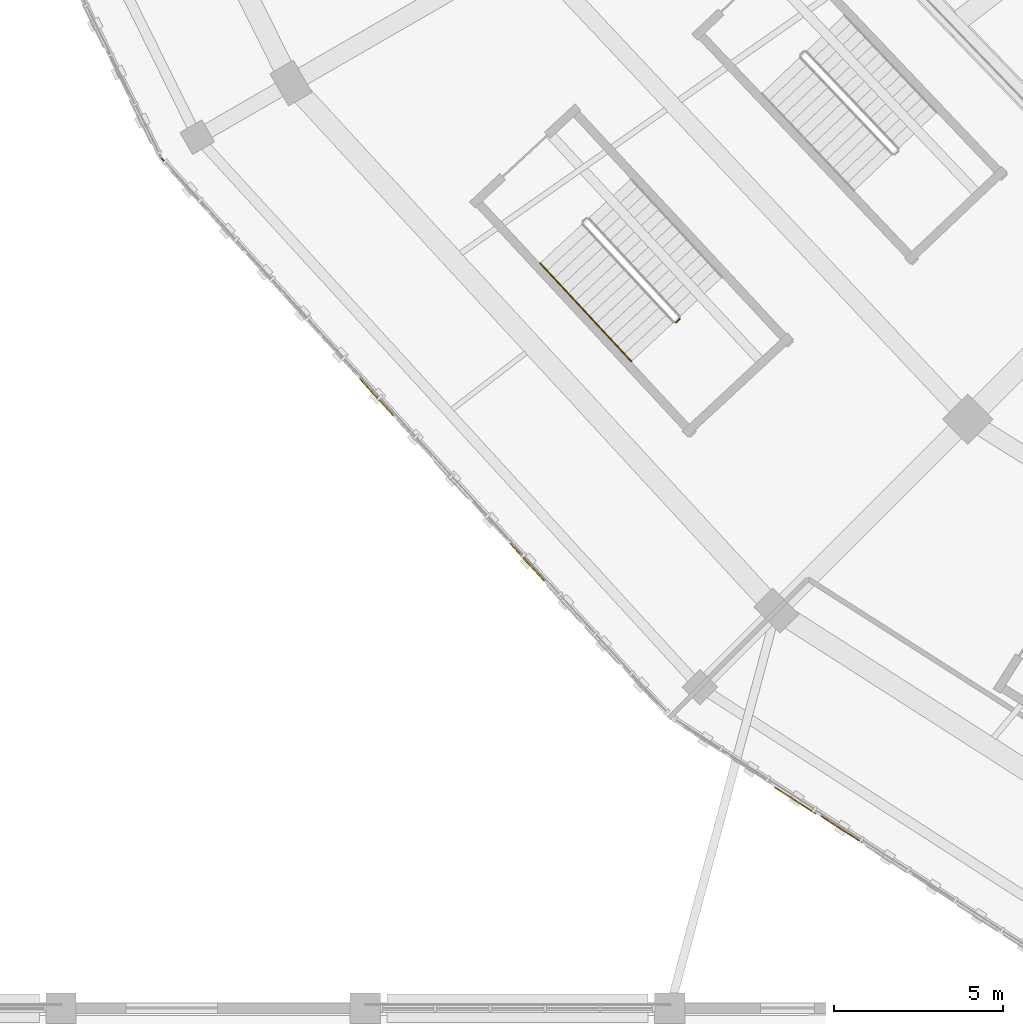
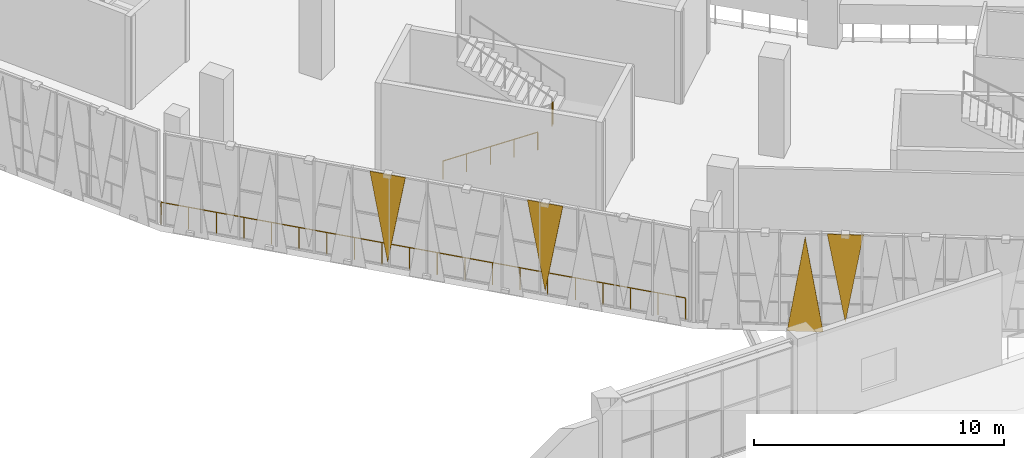
# One storey, part 129 of 183: 4 coverings, 3 railings.
"""IFC4 building model written with IfcOpenShell, lengths in metres."""

import ifcopenshell
import ifcopenshell.guid

model = None  # the IFC model being written
_history = None  # IfcOwnerHistory: only IFC2X3 demands one
_inside = {}  # id of a spatial element -> (the spatial element, [elements in it])
_under = {}  # id of a project, library or spatial element -> (it, [spatial elements below it])
_declared = {}  # id of a project -> (the project, [libraries it declares])
_typed = {}  # id of a type object -> (the type object, [elements of that type])
_made_of = {}  # id of a material, layer set ... -> (it, [elements and type objects made of it])


def new_model(schema):
    """Start an empty IFC model of exactly this schema.

    Asked for "IFC4X3", IfcOpenShell would pick the latest addendum, in which some entities
    have other attributes; the version numbers below select the first issue.
    IFC2X3 requires an IfcOwnerHistory on every rooted entity: one is made here for all.
    """
    global model, _history
    if schema == "IFC4X3":
        model = ifcopenshell.file(schema_version=(4, 3, 0, 0))
    else:
        model = ifcopenshell.file(schema=schema)
    _inside.clear()
    _under.clear()
    _declared.clear()
    _typed.clear()
    _made_of.clear()
    _history = None
    if model.schema == "IFC2X3":
        org = make("IfcOrganization", Name="unknown")
        user = make(
            "IfcPersonAndOrganization",
            ThePerson=make("IfcPerson", FamilyName="unknown"),
            TheOrganization=org,
        )
        app = make(
            "IfcApplication",
            ApplicationDeveloper=org,
            Version="unknown",
            ApplicationFullName="unknown",
            ApplicationIdentifier="unknown",
        )
        _history = make(
            "IfcOwnerHistory",
            OwningUser=user,
            OwningApplication=app,
            ChangeAction="ADDED",
            CreationDate=0,
        )
    return model


def make(cls, **values):
    """One entity of the class cls with the attributes given. An attribute that is None is left unset."""
    return model.create_entity(
        cls, **{name: value for name, value in values.items() if value is not None}
    )


def rooted(cls, **values):
    """An entity with a GlobalId (a new one), such as an element, a storey or a relation."""
    return make(cls, GlobalId=ifcopenshell.guid.new(), OwnerHistory=_history, **values)


def si_unit(unit_type, name, prefix=None):
    """IfcSIUnit, for example si_unit("LENGTHUNIT", "METRE", prefix="MILLI")."""
    return make("IfcSIUnit", UnitType=unit_type, Prefix=prefix, Name=name)


def assignment(units):
    """IfcUnitAssignment: the units of a project."""
    return None if units is None else make("IfcUnitAssignment", Units=units)


def point(xyz):
    """IfcCartesianPoint."""
    return None if xyz is None else make("IfcCartesianPoint", Coordinates=xyz)


def direction(xyz):
    """IfcDirection."""
    return None if xyz is None else make("IfcDirection", DirectionRatios=xyz)


def frame(location, z_axis=None, x_axis=None):
    """IfcAxis2Placement3D, a coordinate frame: its origin and axes. An axis left out is left unset."""
    return make(
        "IfcAxis2Placement3D",
        Location=point(location),
        Axis=direction(z_axis),
        RefDirection=direction(x_axis),
    )


def frame_2d(location, x_axis=None):
    """IfcAxis2Placement2D, a coordinate frame in the plane: its origin and x axis."""
    return make(
        "IfcAxis2Placement2D", Location=point(location), RefDirection=direction(x_axis)
    )


def origin():
    """The frame at (0, 0, 0) with its axes left unset."""
    return frame((0.0, 0.0, 0.0))


def origin_2d():
    """The frame at (0, 0) in the plane with its x axis left unset."""
    return frame_2d((0.0, 0.0))


def place(relative_to, where):
    """IfcLocalPlacement: puts the frame where relative to a parent placement (None: the world)."""
    return make(
        "IfcLocalPlacement", PlacementRelTo=relative_to, RelativePlacement=where
    )


def context(
    kind, dimensions, precision=None, world=None, true_north=None, identifier=None
):
    """IfcGeometricRepresentationContext, for example the 3D "Model" context."""
    return make(
        "IfcGeometricRepresentationContext",
        ContextIdentifier=identifier,
        ContextType=kind,
        CoordinateSpaceDimension=dimensions,
        Precision=precision,
        WorldCoordinateSystem=world,
        TrueNorth=true_north,
    )


def subcontext(parent, identifier, kind, view, scale=None):
    """IfcGeometricRepresentationSubContext, for example "Body" below "Model"."""
    return make(
        "IfcGeometricRepresentationSubContext",
        ContextIdentifier=identifier,
        ContextType=kind,
        ParentContext=parent,
        TargetScale=scale,
        TargetView=view,
    )


def project(units=None, contexts=None):
    """IfcProject with its units and contexts."""
    return rooted(
        "IfcProject",
        Name="project",
        RepresentationContexts=contexts,
        UnitsInContext=assignment(units),
    )


def spatial(cls, under=None, at=None, **own):
    """A site, building, storey or space (cls), placed at a placement, below another one or the project."""
    s = rooted(cls, ObjectPlacement=at, **own)
    if under is not None:
        _under.setdefault(under.id(), (under, []))[1].append(s)
    return s


def polyline(points):
    """IfcPolyline through the points."""
    return make("IfcPolyline", Points=[point(p) for p in points])


def profile(cls, at=None, kind="AREA", **sizes):
    """A parametric profile (cls). Its sizes go by their IFC names, for example OverallWidth=200.0."""
    return make(cls, ProfileType=kind, Position=at, **sizes)


def circle(**sizes):
    """IfcCircleProfileDef."""
    return profile("IfcCircleProfileDef", **sizes)


def outline(outer, holes=None, kind="AREA"):
    """IfcArbitraryClosedProfileDef: a profile drawn as a closed curve; with holes, ...WithVoids."""
    if holes is None:
        return make("IfcArbitraryClosedProfileDef", ProfileType=kind, OuterCurve=outer)
    return make(
        "IfcArbitraryProfileDefWithVoids",
        ProfileType=kind,
        OuterCurve=outer,
        InnerCurves=holes,
    )


def extrude(swept, where, along, depth):
    """IfcExtrudedAreaSolid: the profile swept, set in the frame where, extruded along a direction by depth."""
    return make(
        "IfcExtrudedAreaSolid",
        SweptArea=swept,
        Position=where,
        ExtrudedDirection=direction(along),
        Depth=depth,
    )


def shape(context_of_items, identifier, shape_type, items):
    """IfcShapeRepresentation: the items that make up one representation, for example the "Body"."""
    return make(
        "IfcShapeRepresentation",
        ContextOfItems=context_of_items,
        RepresentationIdentifier=identifier,
        RepresentationType=shape_type,
        Items=items,
    )


def material(Name=None, Category=None):
    """IfcMaterial."""
    return make("IfcMaterial", Name=Name, Category=Category)


def layer(
    of_material, thickness, ventilated=None, Name=None, Category=None, Priority=None
):
    """IfcMaterialLayer: one layer of a wall or slab, of a material (None: an air gap)."""
    return make(
        "IfcMaterialLayer",
        Material=of_material,
        LayerThickness=thickness,
        IsVentilated=ventilated,
        Name=Name,
        Category=Category,
        Priority=Priority,
    )


def layer_set(layers, Name=None):
    """IfcMaterialLayerSet."""
    return make("IfcMaterialLayerSet", MaterialLayers=layers, LayerSetName=Name)


def made_of(thing, what):
    """Note that an element or type object is made of a material, layer set ...; save() writes the relation."""
    if what is not None:
        _made_of.setdefault(what.id(), (what, []))[1].append(thing)
    return thing


def type_object(cls, material=None, **own):
    """A type object (cls), such as IfcWallType, which elements share."""
    return made_of(rooted(cls, **own), material)


def element(
    cls,
    number,
    at=None,
    inside=None,
    cuts=None,
    type_object=None,
    material=None,
    context=None,
    identifier="Body",
    shape_type=None,
    held_by="IfcProductDefinitionShape",
    body=None,
    shapes=None,
    **own,
):
    """One element of the class cls, such as IfcWall. Its Tag is "e" and its number.

    at: its placement. inside: the storey or other place that contains it. cuts: it is an
    opening in that element (IfcRelVoidsElement). A single representation is given by context,
    identifier, shape_type and body (its items); several are given by shapes. held_by: the class
    of the entity that holds the representations. save() writes the other relations.
    """
    e = rooted(cls, Tag="e%d" % number, ObjectPlacement=at, **own)
    if body is not None:
        shapes = [shape(context, identifier, shape_type, body)]
    if shapes is not None:
        e.Representation = make(held_by, Representations=shapes)
    if inside is not None:
        _inside.setdefault(inside.id(), (inside, []))[1].append(e)
    if cuts is not None:
        rooted(
            "IfcRelVoidsElement", RelatingBuildingElement=cuts, RelatedOpeningElement=e
        )
    if type_object is not None:
        _typed.setdefault(type_object.id(), (type_object, []))[1].append(e)
    return made_of(e, material)


def aggregate(whole, parts):
    """IfcRelAggregates: a whole, such as a stair, and the parts it consists of."""
    return rooted("IfcRelAggregates", RelatingObject=whole, RelatedObjects=parts)


def save(model, path):
    """Write the relations noted so far, then the file.

    IfcRelAggregates (storeys below a building ...), IfcRelContainedInSpatialStructure (elements
    in a storey), IfcRelDefinesByType, IfcRelAssociatesMaterial and IfcRelDeclares: one each for
    every whole, place, type object, material and project.
    """
    for whole, parts in _under.values():
        aggregate(whole, parts)
    for where, things in _inside.values():
        rooted(
            "IfcRelContainedInSpatialStructure",
            RelatedElements=things,
            RelatingStructure=where,
        )
    for kind, things in _typed.values():
        rooted("IfcRelDefinesByType", RelatedObjects=things, RelatingType=kind)
    for what, things in _made_of.values():
        rooted("IfcRelAssociatesMaterial", RelatedObjects=things, RelatingMaterial=what)
    for by, libraries in _declared.values():
        rooted("IfcRelDeclares", RelatingContext=by, RelatedDefinitions=libraries)
    model.write(path)


model = new_model("IFC4")

# Units and contexts
model_context = context("Model", 3, precision=1e-05, world=origin(), true_north=direction((0.0, 1.0)))
body_context = subcontext(model_context, "Body", "Model", "MODEL_VIEW")
ifc_project = project(units=[si_unit("LENGTHUNIT", "METRE"), si_unit("AREAUNIT", "SQUARE_METRE"), si_unit("VOLUMEUNIT", "CUBIC_METRE"), si_unit("PLANEANGLEUNIT", "RADIAN"), si_unit("MASSUNIT", "GRAM", prefix="KILO")], contexts=[model_context])

# Site, building, storey
site_placement = place(None, origin())
site = spatial("IfcSite", under=ifc_project, at=site_placement, CompositionType="ELEMENT")
building_placement = place(site_placement, origin())
building = spatial("IfcBuilding", under=site, at=building_placement, Name="Zevraka Park Crest Stadium", CompositionType="ELEMENT")
storey_placement = place(building_placement, frame((0.0, 0.0, 5.39990234375)))
storey = spatial("IfcBuildingStorey", under=building, at=storey_placement, Name="L01", CompositionType="ELEMENT", Elevation=5.39990234375)

# Coverings
ifc_material_1 = material(Name="Architectural golden-bronze perforated aluminium", Category="aluminium")
ifc_layer = layer(ifc_material_1, 0.034912109375)
ifc_layer_set = layer_set([ifc_layer], Name="Architectural golden-bronze perforated aluminium")
covering_type = type_object("IfcCoveringType", Name="CLD01", PredefinedType="CLADDING", material=ifc_layer_set)
covering_1_placement = place(storey_placement, frame((36.823974609375, 44.506103515625, 4.5), z_axis=(-0.738857539661, -0.673861651506, 0.000103516595), x_axis=(-0.673861655116, 0.73885754362, 0.0)))
element("IfcCovering", 1, at=covering_1_placement, inside=storey, type_object=covering_type, Name="Triangular Golden-Bronze Perforated Cladding L01-14-6", PredefinedType="CLADDING", context=body_context, shape_type="SweptSolid", body=[
    extrude(outline(polyline([(0.0, 0.0), (1.491230143265371, 0.0), (0.74585391307273, 4.279785179180417), (0.0, 0.0)])), origin(), (0.0, 0.0, -1.0), 0.034912109375),
])
covering_2_placement = place(storey_placement, frame((41.27197265625, 39.625, 4.5), z_axis=(-0.739257935755, -0.673422381884, 0.0), x_axis=(-0.673422381884, 0.739257935755, 0.0)))
element("IfcCovering", 2, at=covering_2_placement, inside=storey, type_object=covering_type, Name="Triangular Golden-Bronze Perforated Cladding L01-14-10", PredefinedType="CLADDING", context=body_context, shape_type="SweptSolid", body=[
    extrude(outline(polyline([(0.0, 0.0), (1.4907527237079923, 0.0), (0.7453763618539961, 4.27978515625), (0.0, 0.0)])), origin(), (0.0, 0.0, -1.0), 0.034912109375),
])
covering_3_placement = place(storey_placement, frame((48.10791015625, 33.54296875, -0.260009765625), z_axis=(0.542438505235, 0.840095511222, 7.898764e-06), x_axis=(0.840095511248, -0.542438505252, 0.0)))
element("IfcCovering", 3, at=covering_3_placement, inside=storey, type_object=covering_type, Name="Triangular Golden-Bronze Perforated Cladding L01-15-3", PredefinedType="CLADDING", context=body_context, shape_type="SweptSolid", body=[
    extrude(outline(polyline([(0.0, 0.0), (1.4452063031746218, 0.0), (0.722771917946747, -4.600097656393501), (0.0, 0.0)])), origin(), (0.0, 0.0, -1.0), 0.034912109375),
])
covering_4_placement = place(storey_placement, frame((50.6708984375, 31.887939453125, 4.5), z_axis=(-0.542803310418, -0.839859848457, 3.3891219e-05), x_axis=(-0.83985984894, 0.54280331073, 0.0)))
element("IfcCovering", 4, at=covering_4_placement, inside=storey, type_object=covering_type, Name="Triangular Golden-Bronze Perforated Cladding L01-15-4", PredefinedType="CLADDING", context=body_context, shape_type="SweptSolid", body=[
    extrude(outline(polyline([(0.0, 0.0), (1.4464839003003545, 0.0), (0.7225668216542449, 4.279785158707912), (0.0, 0.0)])), origin(), (0.0, 0.0, -1.0), 0.034912109375),
])

# Railings
ifc_material_2 = material(Name="Galvanised and bronze-finished steel balustrade", Category="steel")
railing_type_1 = type_object("IfcRailingType", Name="GR01", PredefinedType="GUARDRAIL", material=ifc_material_2)
railing_1_placement = place(storey_placement, frame((44.780029296875, 35.881103515625, 0.0)))
element("IfcRailing", 5, at=railing_1_placement, inside=storey, type_object=railing_type_1, Name="Deck Edge Protection Guardrail GR01 L01-46", PredefinedType="GUARDRAIL", context=body_context, shape_type="SweptSolid", body=[
    extrude(circle(Radius=0.02392578125, at=origin_2d()), frame((0.0, 0.0, 1.076171875), z_axis=(-0.673675791088, 0.739027014731, 0.0), x_axis=(-0.739027014731, -0.673675791088, 0.0)), (0.0, 0.0, 1.0), 22.000244140625),
    extrude(circle(Radius=0.02099609375, at=origin_2d()), origin(), (0.0, 0.0, 1.0), 1.052001953125),
    extrude(circle(Radius=0.02099609375, at=origin_2d()), frame((-0.780029296875, 0.855712890625, 0.0)), (0.0, 0.0, 1.0), 1.052001953125),
    extrude(circle(Radius=0.02099609375, at=origin_2d()), frame((-1.56005859375, 1.71142578125, 0.0)), (0.0, 0.0, 1.0), 1.052001953125),
    extrude(circle(Radius=0.02099609375, at=origin_2d()), frame((-2.340087890625, 2.567138671875, 0.0)), (0.0, 0.0, 1.0), 1.052001953125),
    extrude(circle(Radius=0.02099609375, at=origin_2d()), frame((-3.1201171875, 3.4228515625, 0.0)), (0.0, 0.0, 1.0), 1.052001953125),
    extrude(circle(Radius=0.02099609375, at=origin_2d()), frame((-3.900390625, 4.278564453125, 0.0)), (0.0, 0.0, 1.0), 1.052001953125),
    extrude(circle(Radius=0.02099609375, at=origin_2d()), frame((-4.680419921875, 5.13427734375, 0.0)), (0.0, 0.0, 1.0), 1.052001953125),
    extrude(circle(Radius=0.02099609375, at=origin_2d()), frame((-5.46044921875, 5.989990234375, 0.0)), (0.0, 0.0, 1.0), 1.052001953125),
    extrude(circle(Radius=0.02099609375, at=origin_2d()), frame((-6.240478515625, 6.845703125, 0.0)), (0.0, 0.0, 1.0), 1.052001953125),
    extrude(circle(Radius=0.02099609375, at=origin_2d()), frame((-7.0205078125, 7.701416015625, 0.0)), (0.0, 0.0, 1.0), 1.052001953125),
    extrude(circle(Radius=0.02099609375, at=origin_2d()), frame((-7.800537109375, 8.557373046875, 0.0)), (0.0, 0.0, 1.0), 1.052001953125),
    extrude(circle(Radius=0.02099609375, at=origin_2d()), frame((-8.58056640625, 9.4130859375, 0.0)), (0.0, 0.0, 1.0), 1.052001953125),
    extrude(circle(Radius=0.02099609375, at=origin_2d()), frame((-9.360595703125, 10.268798828125, 0.0)), (0.0, 0.0, 1.0), 1.052001953125),
    extrude(circle(Radius=0.02099609375, at=origin_2d()), frame((-10.140625, 11.12451171875, 0.0)), (0.0, 0.0, 1.0), 1.052001953125),
    extrude(circle(Radius=0.02099609375, at=origin_2d()), frame((-10.920654296875, 11.980224609375, 0.0)), (0.0, 0.0, 1.0), 1.052001953125),
    extrude(circle(Radius=0.02099609375, at=origin_2d()), frame((-11.700927734375, 12.8359375, 0.0)), (0.0, 0.0, 1.0), 1.052001953125),
    extrude(circle(Radius=0.02099609375, at=origin_2d()), frame((-12.48095703125, 13.691650390625, 0.0)), (0.0, 0.0, 1.0), 1.052001953125),
    extrude(circle(Radius=0.02099609375, at=origin_2d()), frame((-13.260986328125, 14.54736328125, 0.0)), (0.0, 0.0, 1.0), 1.052001953125),
    extrude(circle(Radius=0.02099609375, at=origin_2d()), frame((-14.041015625, 15.403076171875, 0.0)), (0.0, 0.0, 1.0), 1.052001953125),
    extrude(circle(Radius=0.02099609375, at=origin_2d()), frame((-14.821044921875, 16.2587890625, 0.0)), (0.0, 0.0, 1.0), 1.052001953125),
])
ifc_material_3 = material(Name="Powder-coated tubular steel stairwell guard", Category="steel")
railing_type_2 = type_object("IfcRailingType", Name="GR03", PredefinedType="GUARDRAIL", material=ifc_material_3)
railing_2_placement = place(storey_placement, frame((45.17822265625, 47.273193359375, 2.400146484375)))
element("IfcRailing", 6, at=railing_2_placement, inside=storey, type_object=railing_type_2, Name="L01 ST15 stair guard 2", PredefinedType="GUARDRAIL", context=body_context, shape_type="SweptSolid", body=[
    extrude(circle(Radius=0.02392578125, at=origin_2d()), frame((0.0, 0.0, 1.076171875), z_axis=(0.732576022975, 0.680685221348, 0.0), x_axis=(-0.680685221348, 0.732576022975, 0.0)), (0.0, 0.0, 1.0), 0.159912109375),
    extrude(circle(Radius=0.02099609375, at=origin_2d()), origin(), (0.0, 0.0, 1.0), 1.052001953125),
    extrude(circle(Radius=0.02099609375, at=origin_2d()), frame((0.1171875, 0.10888671875, 0.0)), (0.0, 0.0, 1.0), 1.052001953125),
])
ifc_material_4 = material(Name="Brushed stainless steel continuous handrail", Category="steel")
railing_type_3 = type_object("IfcRailingType", Name="HR01", PredefinedType="HANDRAIL", material=ifc_material_4)
railing_3_placement = place(storey_placement, frame((41.164306640625, 49.025634765625, 0.171630859375)))
element("IfcRailing", 7, at=railing_3_placement, inside=storey, type_object=railing_type_3, Name="L01 ST15 stair handrail 1", PredefinedType="HANDRAIL", context=body_context, shape_type="SweptSolid", body=[
    extrude(circle(Radius=0.02392578125, at=origin_2d()), frame((0.0, 0.0, 0.8759765625), z_axis=(0.593016024023, -0.638962957094, 0.489957482557), x_axis=(0.732968909084, 0.680262139412, 0.0)), (0.0, 0.0, 1.0), 4.54833984375),
    extrude(circle(Radius=0.02099609375, at=origin_2d()), origin(), (0.0, 0.0, 1.0), 0.851806640625),
    extrude(circle(Radius=0.02099609375, at=origin_2d()), frame((0.67431640625, -0.7265625, 0.55712890625)), (0.0, 0.0, 1.0), 0.851806640625),
    extrude(circle(Radius=0.02099609375, at=origin_2d()), frame((1.3486328125, -1.453125, 1.1142578125)), (0.0, 0.0, 1.0), 0.851806640625),
    extrude(circle(Radius=0.02099609375, at=origin_2d()), frame((2.02294921875, -2.1796875, 1.67138671875)), (0.0, 0.0, 1.0), 0.851806640625),
    extrude(circle(Radius=0.02099609375, at=origin_2d()), frame((2.697265625, -2.90625, 2.228515625)), (0.0, 0.0, 1.0), 0.851806640625),
])

save(model, "model.ifc")
